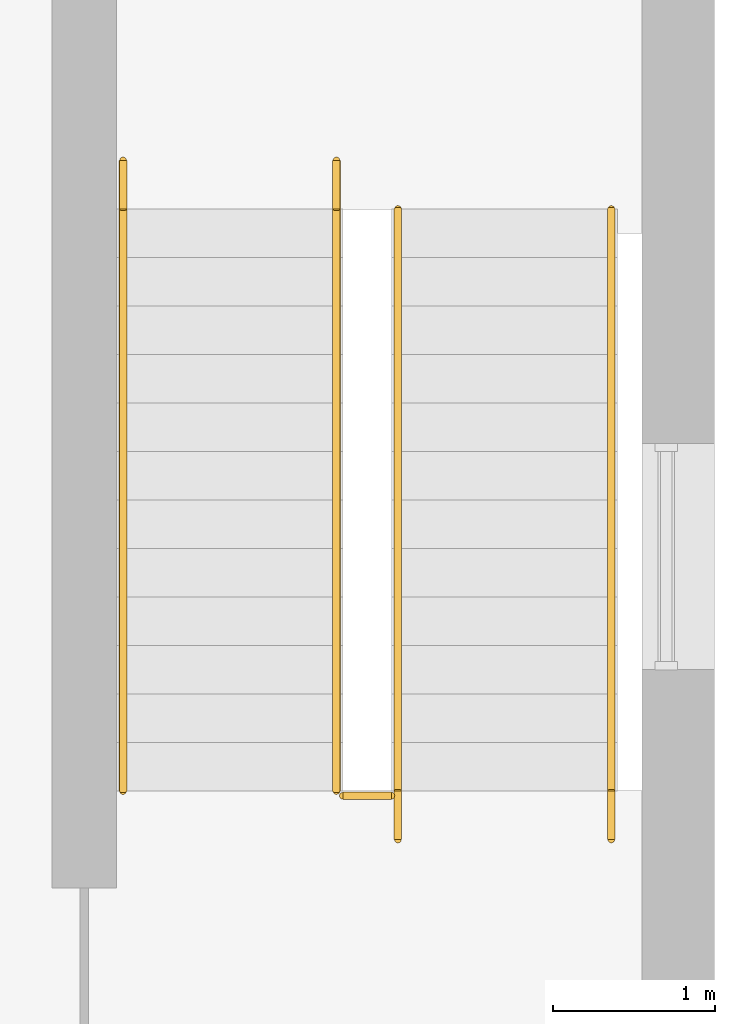
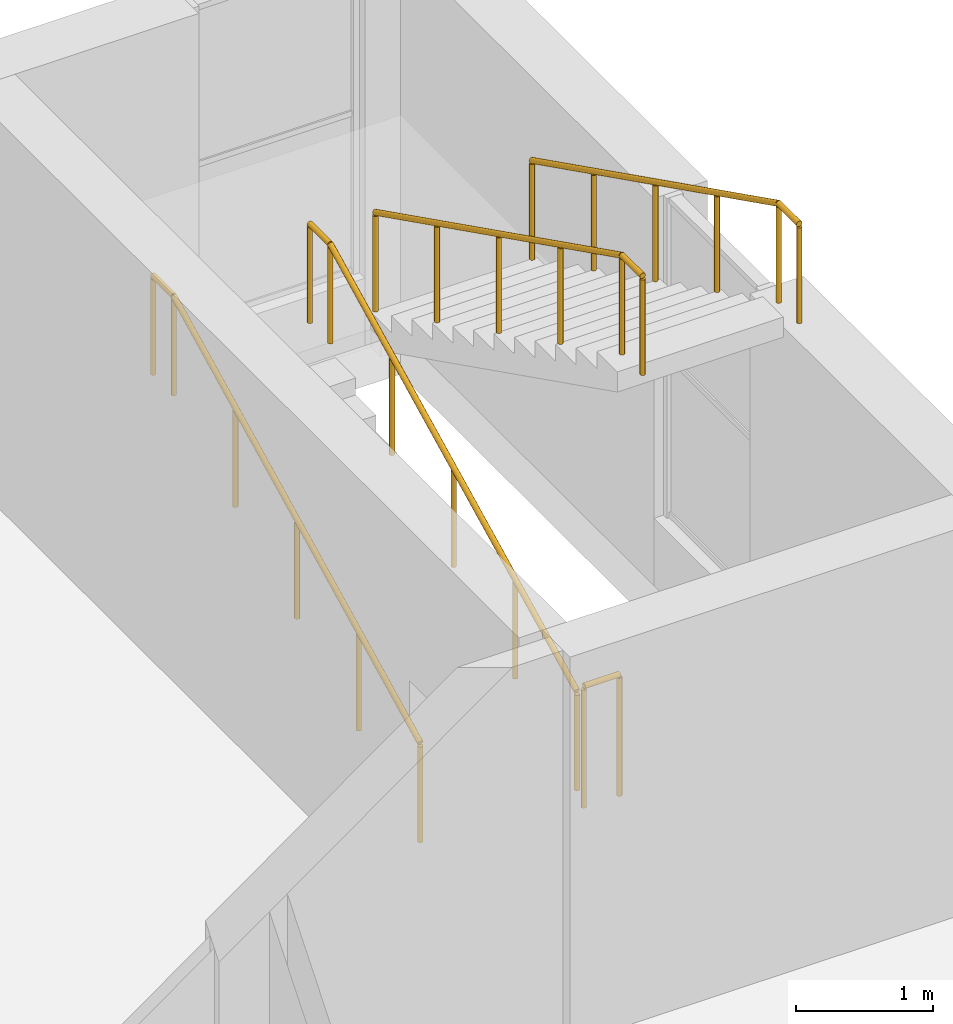
# One storey, part 90 of 94: 5 railings.
"""IFC4 building model written with IfcOpenShell, lengths in metres."""

from ifc_helpers import new_model, si_unit, direction, frame, origin, origin_2d, place, context, subcontext, project, spatial, circle, extrude, material, type_object, element, save


model = new_model("IFC4")

# Units and contexts
model_context = context("Model", 3, precision=1e-05, world=origin(), true_north=direction((0.0, 1.0)))
body_context = subcontext(model_context, "Body", "Model", "MODEL_VIEW")
ifc_project = project(units=[si_unit("LENGTHUNIT", "METRE"), si_unit("AREAUNIT", "SQUARE_METRE"), si_unit("VOLUMEUNIT", "CUBIC_METRE"), si_unit("PLANEANGLEUNIT", "RADIAN"), si_unit("MASSUNIT", "GRAM", prefix="KILO")], contexts=[model_context])

# Site, building, storey
site_placement = place(None, origin())
site = spatial("IfcSite", under=ifc_project, at=site_placement, CompositionType="ELEMENT")
building_placement = place(site_placement, origin())
building = spatial("IfcBuilding", under=site, at=building_placement, Name="Yavir Park General Hospital", CompositionType="ELEMENT")
storey_placement = place(building_placement, frame((0.0, 0.0, 4.5)))
storey = spatial("IfcBuildingStorey", under=building, at=storey_placement, Name="L01", CompositionType="ELEMENT", Elevation=4.5)

# Railings
ifc_material_1 = material(Name="Steel balustrade with infill rods", Category="steel")
railing_type_1 = type_object("IfcRailingType", Name="Stair guard, steel balustrade 1100 mm", PredefinedType="GUARDRAIL", material=ifc_material_1)
railing_placement = place(storey_placement, frame((23.199951171875, 111.570068359375, 0.0)))
element("IfcRailing", 1, at=railing_placement, inside=storey, type_object=railing_type_1, Name="Stair well guard SW3 L01", PredefinedType="GUARDRAIL", context=body_context, shape_type="SweptSolid", body=[
    extrude(circle(Radius=0.02392578125, at=origin_2d()), frame((0.0, 0.0, 1.076171875), z_axis=(1.0, 0.0, 0.0), x_axis=(0.0, 1.0, 0.0)), (0.0, 0.0, 1.0), 0.300048828125),
    extrude(circle(Radius=0.02099609375, at=origin_2d()), origin(), (0.0, 0.0, 1.0), 1.052001953125),
    extrude(circle(Radius=0.02099609375, at=origin_2d()), frame((0.300048828125, 0.0, 0.0)), (0.0, 0.0, 1.0), 1.052001953125),
])
ifc_material_2 = material(Name="Stainless steel tube 48 mm", Category="steel")
railing_type_2 = type_object("IfcRailingType", Name="Stair handrail, steel tube, 900 mm above the nosings", PredefinedType="HANDRAIL", material=ifc_material_2)
for number, where, name in (
    (2, (21.840087890625, 111.60009765625, 0.14990234375), "Handrail SW3 L01 1"),
    (3, (23.159912109375, 111.60009765625, 0.14990234375), "Handrail SW3 L01 2"),
):
    element("IfcRailing", number, at=place(storey_placement, frame(where)), inside=storey, type_object=railing_type_2, Name=name, PredefinedType="HANDRAIL", context=body_context, shape_type="SweptSolid", body=[
        extrude(circle(Radius=0.02392578125, at=origin_2d()), frame((0.0, 0.0, 0.8759765625), z_axis=(0.0, 0.894415058897, 0.447237858884), x_axis=(-1.0, 0.0, 0.0)), (0.0, 0.0, 1.0), 4.02490234375),
        extrude(circle(Radius=0.02392578125, at=origin_2d()), frame((0.0, 3.599853515625, 2.67578125), z_axis=(0.0, 1.0, 0.0), x_axis=(-1.0, 0.0, 0.0)), (0.0, 0.0, 1.0), 0.300048828125),
        extrude(circle(Radius=0.02099609375, at=origin_2d()), origin(), (0.0, 0.0, 1.0), 0.851806640625),
        extrude(circle(Radius=0.02099609375, at=origin_2d()), frame((0.0, 0.89990234375, 0.449951171875)), (0.0, 0.0, 1.0), 0.851806640625),
        extrude(circle(Radius=0.02099609375, at=origin_2d()), frame((0.0, 1.7998046875, 0.89990234375)), (0.0, 0.0, 1.0), 0.851806640625),
        extrude(circle(Radius=0.02099609375, at=origin_2d()), frame((0.0, 2.699951171875, 1.35009765625)), (0.0, 0.0, 1.0), 0.851806640625),
        extrude(circle(Radius=0.02099609375, at=origin_2d()), frame((0.0, 3.599853515625, 1.800048828125)), (0.0, 0.0, 1.0), 0.851806640625),
        extrude(circle(Radius=0.02099609375, at=origin_2d()), frame((0.0, 3.89990234375, 1.800048828125)), (0.0, 0.0, 1.0), 0.851806640625),
    ])
for number, where, name in (
    (4, (24.860107421875, 115.199951171875, 2.10009765625), "Handrail SW3 L01 3"),
    (5, (23.5400390625, 115.199951171875, 2.10009765625), "Handrail SW3 L01 4"),
):
    element("IfcRailing", number, at=place(storey_placement, frame(where)), inside=storey, type_object=railing_type_2, Name=name, PredefinedType="HANDRAIL", context=body_context, shape_type="SweptSolid", body=[
        extrude(circle(Radius=0.02392578125, at=origin_2d()), frame((0.0, 0.0, 0.8759765625), z_axis=(0.0, -0.894439322774, 0.447189331129), x_axis=(1.0, 0.0, 0.0)), (0.0, 0.0, 1.0), 4.024658203125),
        extrude(circle(Radius=0.02392578125, at=origin_2d()), frame((0.0, -3.599853515625, 2.67578125), z_axis=(0.0, -1.0, 0.0), x_axis=(1.0, 0.0, 0.0)), (0.0, 0.0, 1.0), 0.300048828125),
        extrude(circle(Radius=0.02099609375, at=origin_2d()), origin(), (0.0, 0.0, 1.0), 0.851806640625),
        extrude(circle(Radius=0.02099609375, at=origin_2d()), frame((0.0, -0.89990234375, 0.449951171875)), (0.0, 0.0, 1.0), 0.851806640625),
        extrude(circle(Radius=0.02099609375, at=origin_2d()), frame((0.0, -1.7998046875, 0.89990234375)), (0.0, 0.0, 1.0), 0.851806640625),
        extrude(circle(Radius=0.02099609375, at=origin_2d()), frame((0.0, -2.699951171875, 1.349853515625)), (0.0, 0.0, 1.0), 0.851806640625),
        extrude(circle(Radius=0.02099609375, at=origin_2d()), frame((0.0, -3.599853515625, 1.7998046875)), (0.0, 0.0, 1.0), 0.851806640625),
        extrude(circle(Radius=0.02099609375, at=origin_2d()), frame((0.0, -3.89990234375, 1.7998046875)), (0.0, 0.0, 1.0), 0.851806640625),
    ])

save(model, "model.ifc")
